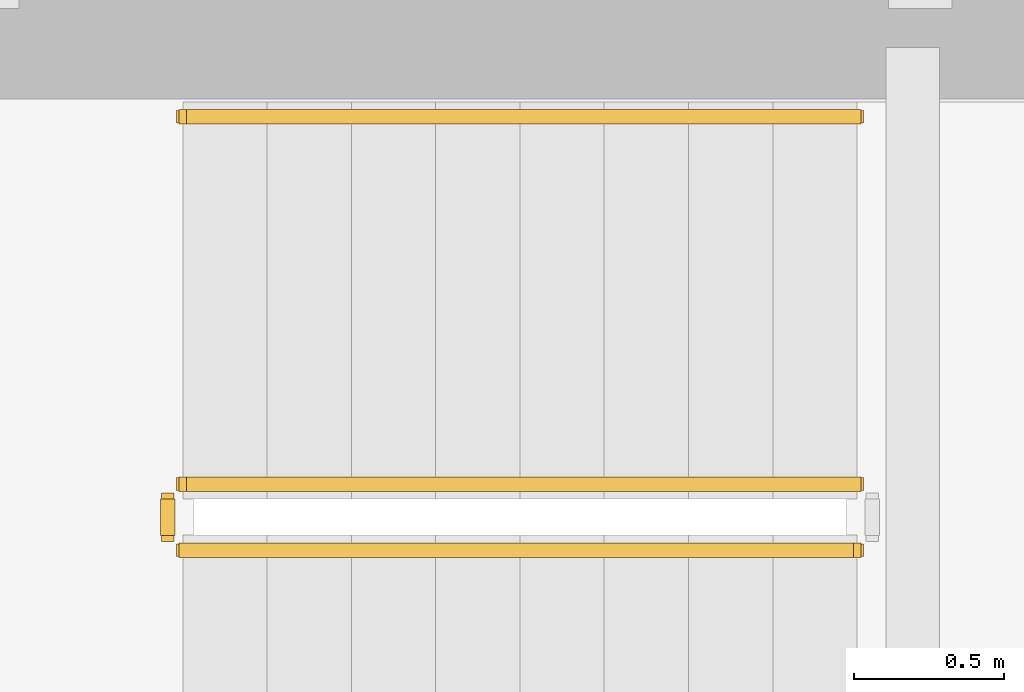
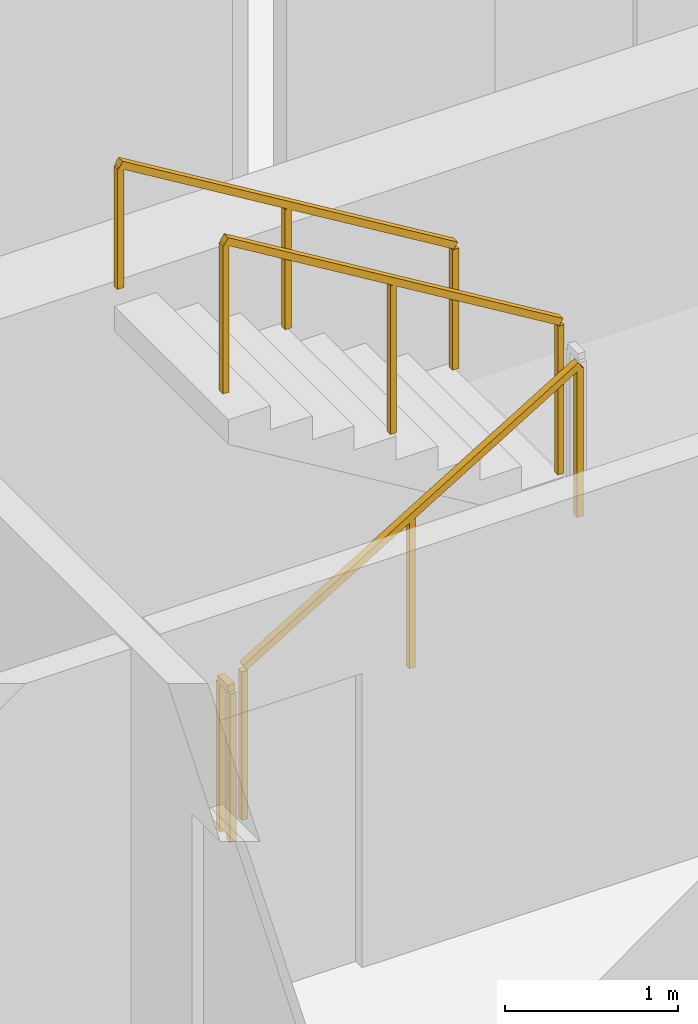
# One storey, part 10 of 12: 4 railings.
"""IFC4 building model written with IfcOpenShell, lengths in metres."""

from ifc_helpers import new_model, si_unit, direction, frame, origin, origin_2d, place, context, subcontext, project, spatial, rectangle, extrude, material, type_object, element, save


model = new_model("IFC4")

# Units and contexts
model_context = context("Model", 3, precision=1e-05, world=origin(), true_north=direction((0.0, 1.0)))
body_context = subcontext(model_context, "Body", "Model", "MODEL_VIEW")
ifc_project = project(units=[si_unit("LENGTHUNIT", "METRE"), si_unit("AREAUNIT", "SQUARE_METRE"), si_unit("VOLUMEUNIT", "CUBIC_METRE"), si_unit("PLANEANGLEUNIT", "RADIAN"), si_unit("MASSUNIT", "GRAM", prefix="KILO")], contexts=[model_context])

# Site, building, storey
site_placement = place(None, origin())
site = spatial("IfcSite", under=ifc_project, at=site_placement, CompositionType="ELEMENT")
building_placement = place(site_placement, origin())
building = spatial("IfcBuilding", under=site, at=building_placement, Name="Qhalaya Broadcast Tower", CompositionType="ELEMENT")
storey_placement = place(building_placement, frame((0.0, 0.0, 47.449951171875)))
storey = spatial("IfcBuildingStorey", under=building, at=storey_placement, Name="L13", CompositionType="ELEMENT", Elevation=47.449951171875)

# Railings
ifc_material = material(Name="Powder-Coated Galvanised Steel", Category="steel")
railing_type_1 = type_object("IfcRailingType", Name="Stair Wall Handrail 900", PredefinedType="HANDRAIL", material=ifc_material)
railing_1_placement = place(storey_placement, frame((5.989990234375, 9.590087890625, 1.694580078125)))
element("IfcRailing", 1, at=railing_1_placement, inside=storey, type_object=railing_type_1, Name="L13 ST-1 Stair Handrail 2", PredefinedType="HANDRAIL", context=body_context, shape_type="SweptSolid", body=[
    extrude(rectangle(XDim=0.048095703125, YDim=0.048095703125, at=origin_2d()), frame((0.0, 0.0, 0.8759765625), z_axis=(-0.855553338991, 0.0, 0.51771467445), x_axis=(0.0, -1.0, 0.0)), (0.0, 0.0, 1.0), 2.6181640625),
    extrude(rectangle(XDim=0.0419921875, YDim=0.0419921875, at=origin_2d()), origin(), (0.0, 0.0, 1.0), 0.849853515625),
    extrude(rectangle(XDim=0.0419921875, YDim=0.0419921875, at=origin_2d()), frame((-1.1201171875, 0.0, 0.677734375)), (0.0, 0.0, 1.0), 0.849853515625),
    extrude(rectangle(XDim=0.0419921875, YDim=0.0419921875, at=origin_2d()), frame((-2.239990234375, 0.0, 1.35546875)), (0.0, 0.0, 1.0), 0.849853515625),
])
railing_type_2 = type_object("IfcRailingType", Name="Stair Well & Landing Guardrail 1100", PredefinedType="GUARDRAIL", material=ifc_material)
railing_2_placement = place(storey_placement, frame((3.75, 8.14990234375, 0.16943359375)))
element("IfcRailing", 2, at=railing_2_placement, inside=storey, type_object=railing_type_2, Name="L13 ST-1 Stair Guard 1", PredefinedType="GUARDRAIL", context=body_context, shape_type="SweptSolid", body=[
    extrude(rectangle(XDim=0.048095703125, YDim=0.048095703125, at=origin_2d()), frame((0.0, 0.0, 1.076171875), z_axis=(0.855512035549, 0.0, 0.517782924622), x_axis=(0.0, 1.0, 0.0)), (0.0, 0.0, 1.0), 2.618408203125),
    extrude(rectangle(XDim=0.0419921875, YDim=0.0419921875, at=origin_2d()), origin(), (0.0, 0.0, 1.0), 1.050048828125),
    extrude(rectangle(XDim=0.0419921875, YDim=0.0419921875, at=origin_2d()), frame((1.1201171875, 0.0, 0.677734375)), (0.0, 0.0, 1.0), 1.050048828125),
    extrude(rectangle(XDim=0.0419921875, YDim=0.0419921875, at=origin_2d()), frame((2.239990234375, 0.0, 1.355712890625)), (0.0, 0.0, 1.0), 1.050048828125),
])
railing_3_placement = place(storey_placement, frame((5.989990234375, 8.3701171875, 1.694580078125)))
element("IfcRailing", 3, at=railing_3_placement, inside=storey, type_object=railing_type_2, Name="L13 ST-1 Stair Guard 3", PredefinedType="GUARDRAIL", context=body_context, shape_type="SweptSolid", body=[
    extrude(rectangle(XDim=0.048095703125, YDim=0.048095703125, at=origin_2d()), frame((0.0, 0.0, 1.076171875), z_axis=(-0.855553338991, 0.0, 0.51771467445), x_axis=(0.0, -1.0, 0.0)), (0.0, 0.0, 1.0), 2.6181640625),
    extrude(rectangle(XDim=0.0419921875, YDim=0.0419921875, at=origin_2d()), origin(), (0.0, 0.0, 1.0), 1.050048828125),
    extrude(rectangle(XDim=0.0419921875, YDim=0.0419921875, at=origin_2d()), frame((-1.1201171875, 0.0, 0.677734375)), (0.0, 0.0, 1.0), 1.050048828125),
    extrude(rectangle(XDim=0.0419921875, YDim=0.0419921875, at=origin_2d()), frame((-2.239990234375, 0.0, 1.35546875)), (0.0, 0.0, 1.0), 1.050048828125),
])
railing_4_placement = place(storey_placement, frame((3.699951171875, 8.199951171875, 0.0)))
element("IfcRailing", 4, at=railing_4_placement, inside=storey, type_object=railing_type_2, Name="L13 ST-1 Stair Guard 4", PredefinedType="GUARDRAIL", context=body_context, shape_type="SweptSolid", body=[
    extrude(rectangle(XDim=0.048095703125, YDim=0.048095703125, at=origin_2d()), frame((0.0, 0.0, 1.076171875), z_axis=(0.0, 1.0, 0.0), x_axis=(-1.0, 0.0, 0.0)), (0.0, 0.0, 1.0), 0.1201171875),
    extrude(rectangle(XDim=0.0419921875, YDim=0.0419921875, at=origin_2d()), origin(), (0.0, 0.0, 1.0), 1.050048828125),
    extrude(rectangle(XDim=0.0419921875, YDim=0.0419921875, at=origin_2d()), frame((0.0, 0.1201171875, 0.0)), (0.0, 0.0, 1.0), 1.050048828125),
])

save(model, "model.ifc")
